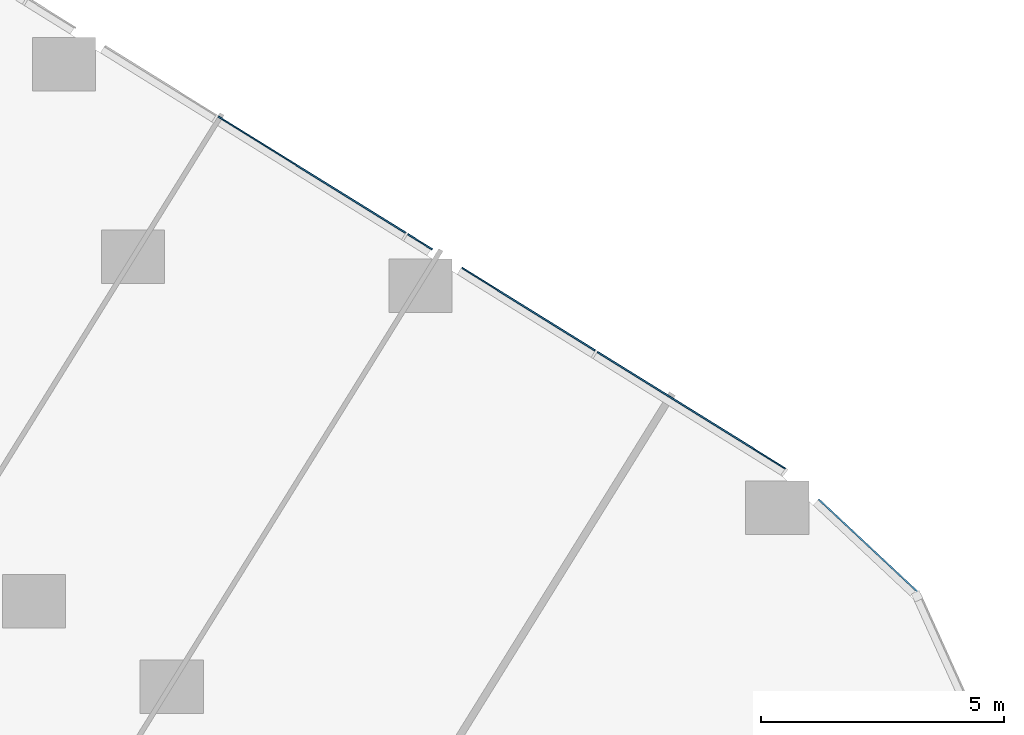
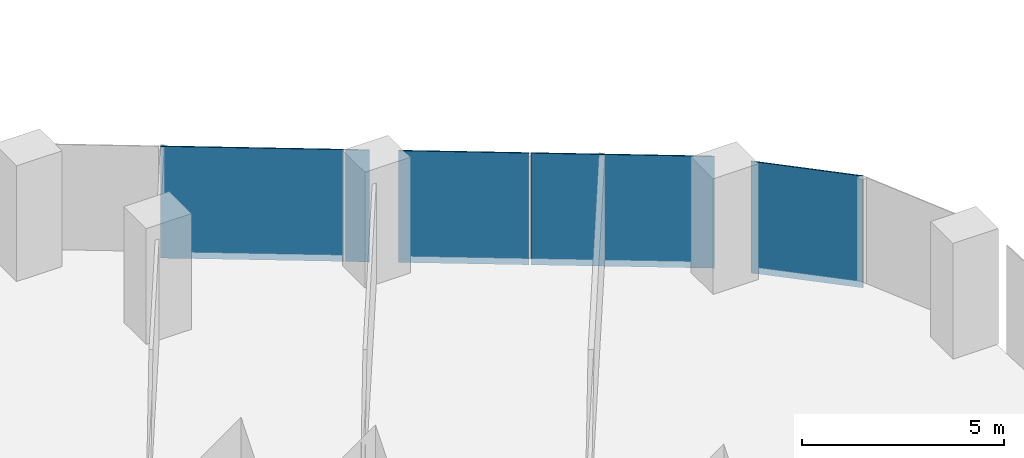
# One storey, part 24 of 34: 5 plates, 2 elements without a shape of their own.
"""IFC4 building model written with IfcOpenShell, lengths in metres."""

from ifc_helpers import new_model, si_unit, direction, frame, origin, origin_2d, place, context, subcontext, project, spatial, rectangle, extrude, material, layer, layer_set, type_object, element, aggregate, save


model = new_model("IFC4")

# Units and contexts
model_context = context("Model", 3, precision=1e-05, world=origin(), true_north=direction((0.0, 1.0)))
body_context = subcontext(model_context, "Body", "Model", "MODEL_VIEW")
ifc_project = project(units=[si_unit("LENGTHUNIT", "METRE"), si_unit("AREAUNIT", "SQUARE_METRE"), si_unit("VOLUMEUNIT", "CUBIC_METRE"), si_unit("PLANEANGLEUNIT", "RADIAN"), si_unit("MASSUNIT", "GRAM", prefix="KILO")], contexts=[model_context])

# Site, building, storey
site_placement = place(None, origin())
site = spatial("IfcSite", under=ifc_project, at=site_placement, CompositionType="ELEMENT")
building_placement = place(site_placement, origin())
building = spatial("IfcBuilding", under=site, at=building_placement, Name="Orlundy Tower", CompositionType="ELEMENT")
storey_placement = place(building_placement, frame((0.0, 0.0, 44.300048828125)))
storey = spatial("IfcBuildingStorey", under=building, at=storey_placement, Name="L09", CompositionType="ELEMENT", Elevation=44.300048828125)

# Curtain wall, plates
ifc_material_1 = material(Name="Aluminium bronze anodised", Category="aluminium")
curtain_wall_type = type_object("IfcCurtainWallType", Name="CW1 wall", PredefinedType="NOTDEFINED", material=ifc_material_1)
curtain_wall_1_placement = place(storey_placement, origin())
curtain_wall_1 = element("IfcCurtainWall", 1, at=curtain_wall_1_placement, inside=storey, type_object=curtain_wall_type, Name="CW1 run 06", PredefinedType="NOTDEFINED")
ifc_material_2 = material(Name="Tinted glass", Category="glass")
ifc_layer = layer(ifc_material_2, 0.031982421875)
ifc_layer_set = layer_set([ifc_layer], Name="CW1 glass panel 32")
plate_type = type_object("IfcPlateType", Name="CW1 glass panel 32", PredefinedType="CURTAIN_PANEL", material=ifc_layer_set)
plate_1_placement = place(storey_placement, frame((43.3681640625, -3.19091796875, -0.300048828125), z_axis=(0.0, 0.0, 1.0), x_axis=(0.849584043137, -0.527453271529, 0.0)))
plate_1 = element("IfcPlate", 2, at=plate_1_placement, type_object=plate_type, Name="CW1 panel", PredefinedType="CURTAIN_PANEL", context=body_context, shape_type="SweptSolid", body=[
    extrude(rectangle(XDim=4.538818359375, YDim=0.031982421875, at=origin_2d()), origin(), (0.0, 0.0, 1.0), 3.3798828125),
])
plate_2_placement = place(storey_placement, frame((45.591552734375, -4.571044921875, -0.300048828125), z_axis=(0.0, 0.0, 1.0), x_axis=(0.849584043137, -0.527453271529, 0.0)))
plate_2 = element("IfcPlate", 3, at=plate_2_placement, type_object=plate_type, Name="CW1 panel", PredefinedType="CURTAIN_PANEL", context=body_context, shape_type="SweptSolid", body=[
    extrude(rectangle(XDim=0.594970703125, YDim=0.031982421875, at=origin_2d()), origin(), (0.0, 0.0, 1.0), 3.3798828125),
])
plate_3_placement = place(storey_placement, frame((47.824462890625, -5.957275390625, -0.300048828125), z_axis=(0.0, 0.0, 1.0), x_axis=(0.849584043137, -0.527453271529, 0.0)))
plate_3 = element("IfcPlate", 4, at=plate_3_placement, type_object=plate_type, Name="CW1 panel", PredefinedType="CURTAIN_PANEL", context=body_context, shape_type="SweptSolid", body=[
    extrude(rectangle(XDim=3.22607421875, YDim=0.031982421875, at=origin_2d()), origin(), (0.0, 0.0, 1.0), 3.3798828125),
])
plate_4_placement = place(storey_placement, frame((51.172119140625, -8.03564453125, -0.300048828125), z_axis=(0.0, 0.0, 1.0), x_axis=(0.849584043137, -0.527453271529, 0.0)))
plate_4 = element("IfcPlate", 5, at=plate_4_placement, type_object=plate_type, Name="CW1 panel", PredefinedType="CURTAIN_PANEL", context=body_context, shape_type="SweptSolid", body=[
    extrude(rectangle(XDim=4.5546875, YDim=0.031982421875, at=origin_2d()), origin(), (0.0, 0.0, 1.0), 3.3798828125),
])
aggregate(curtain_wall_1, [plate_1, plate_2, plate_3, plate_4])

# Curtain wall, plate
curtain_wall_2_placement = place(storey_placement, origin())
curtain_wall_2 = element("IfcCurtainWall", 6, at=curtain_wall_2_placement, inside=storey, type_object=curtain_wall_type, Name="CW1 run 07", PredefinedType="NOTDEFINED")
plate_5_placement = place(storey_placement, frame((54.828857421875, -10.84033203125, -0.300048828125), z_axis=(0.0, 0.0, 1.0), x_axis=(0.730445026852, -0.682971494828, 0.0)))
plate_5 = element("IfcPlate", 7, at=plate_5_placement, type_object=plate_type, Name="CW1 panel", PredefinedType="CURTAIN_PANEL", context=body_context, shape_type="SweptSolid", body=[
    extrude(rectangle(XDim=2.85546875, YDim=0.031982421875, at=origin_2d()), origin(), (0.0, 0.0, 1.0), 3.3798828125),
])
aggregate(curtain_wall_2, [plate_5])

save(model, "model.ifc")
